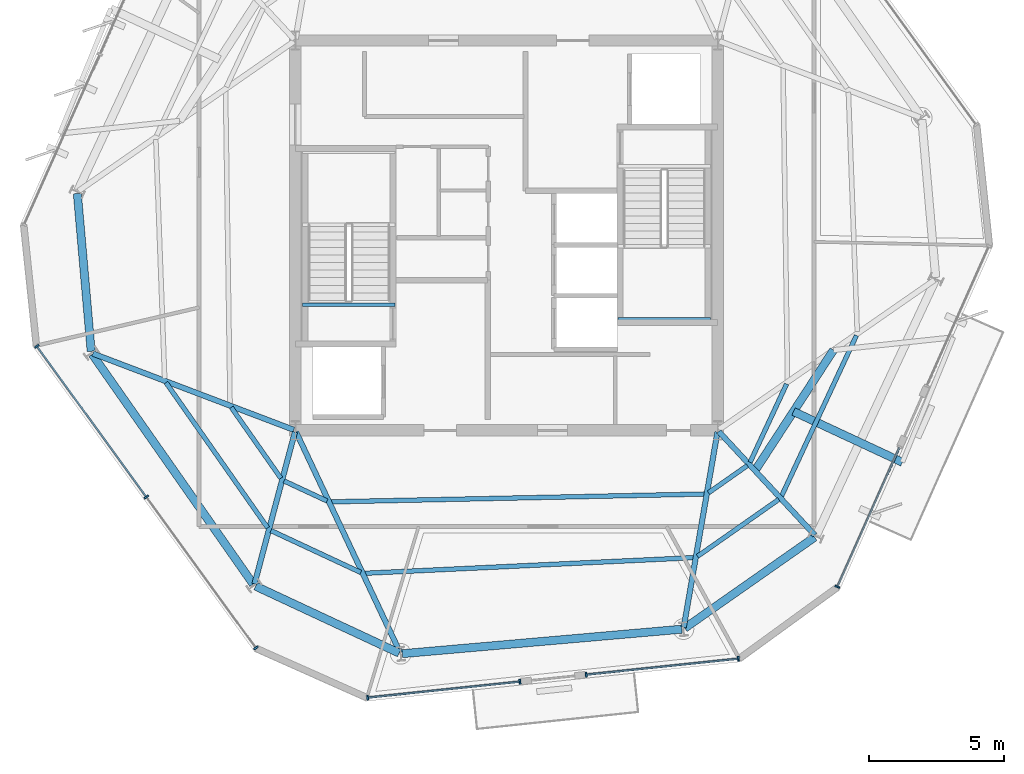
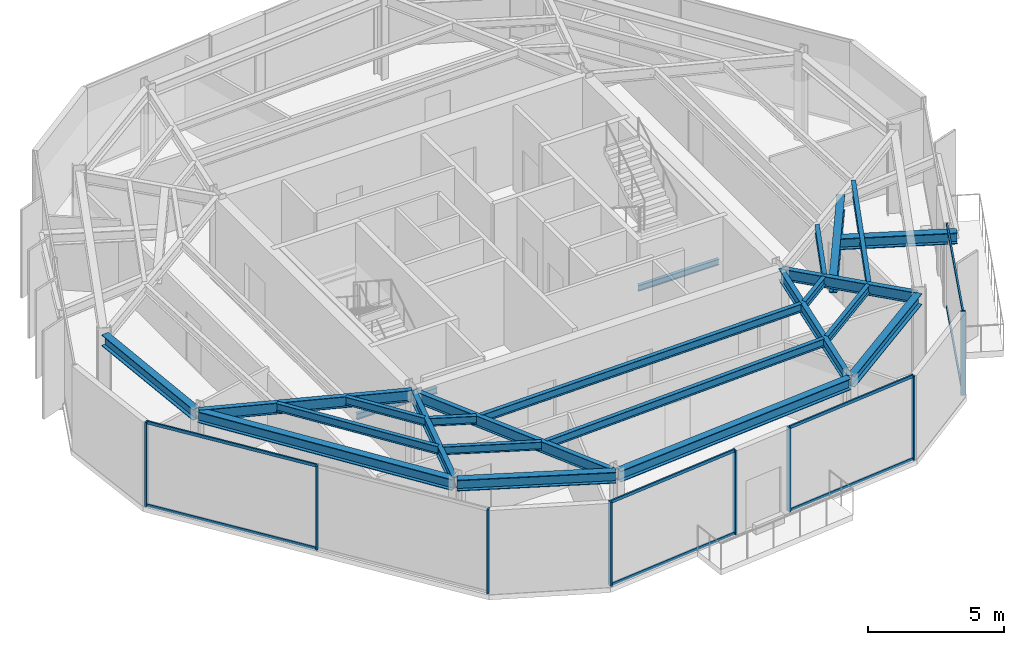
# One storey, part 2 of 11: 24 beams, 16 members, 4 elements without a shape of their own.
"""IFC4 building model written with IfcOpenShell, lengths in metres."""

from ifc_helpers import new_model, si_unit, direction, frame, origin, origin_2d, place, context, subcontext, project, spatial, rectangle, i_section, extrude, material, layer, layer_set, material_profile, profile_set, type_object, element, aggregate, save


model = new_model("IFC4")

# Units and contexts
model_context = context("Model", 3, precision=1e-05, world=origin(), true_north=direction((0.0, 1.0)))
body_context = subcontext(model_context, "Body", "Model", "MODEL_VIEW")
ifc_project = project(units=[si_unit("LENGTHUNIT", "METRE"), si_unit("AREAUNIT", "SQUARE_METRE"), si_unit("VOLUMEUNIT", "CUBIC_METRE"), si_unit("PLANEANGLEUNIT", "RADIAN"), si_unit("MASSUNIT", "GRAM", prefix="KILO")], contexts=[model_context])

# Site, building, storey
site_placement = place(None, origin())
site = spatial("IfcSite", under=ifc_project, at=site_placement, CompositionType="ELEMENT")
building_placement = place(site_placement, origin())
building = spatial("IfcBuilding", under=site, at=building_placement, Name="Kranzbogen Civic Tower", CompositionType="ELEMENT")
storey_placement = place(building_placement, frame((0.0, 0.0, 290.199951171875)))
storey = spatial("IfcBuildingStorey", under=building, at=storey_placement, Name="L70", CompositionType="ELEMENT", Elevation=290.199951171875)

# Curtain wall, members
ifc_material_1 = material(Name="Pale Anodised Aluminium", Category="aluminium")
ifc_layer = layer(ifc_material_1, 0.219970703125, Name="Pale Anodised Aluminium")
ifc_layer_set = layer_set([ifc_layer], Name="Pale Anodised Aluminium")
curtain_wall_type = type_object("IfcCurtainWallType", Name="Zone 4 Stick Curtain Wall System CW-05", PredefinedType="USERDEFINED", material=ifc_layer_set)
curtain_wall_1_placement = place(storey_placement, origin())
curtain_wall_1 = element("IfcCurtainWall", 1, at=curtain_wall_1_placement, inside=storey, type_object=curtain_wall_type, Name="L70 curtain wall CW-L70-F3", ObjectType="STICK CURTAIN WALL", PredefinedType="USERDEFINED")
ifc_material_profile_1 = material_profile(ifc_material_1, rectangle(XDim=0.06494140625, YDim=0.179931640625, at=origin_2d()), Name="ALU-M 65x180")
ifc_profile_set_1 = profile_set([ifc_material_profile_1], Name="Pale Anodised Aluminium")
member_type_1 = type_object("IfcMemberType", Name="Curtain Wall Mullion ALU-M 65x180", PredefinedType="MULLION", material=ifc_profile_set_1)
member_1_placement = place(storey_placement, frame((7.65673828125, 20.90673828125, 0.0), z_axis=(0.0, 0.0, 1.0), x_axis=(0.587767348667, -0.809030001817, 0.0)))
member_1 = element("IfcMember", 2, at=member_1_placement, type_object=member_type_1, Name="CW-05 mullion 1", PredefinedType="MULLION", context=body_context, shape_type="SweptSolid", body=[
    extrude(rectangle(XDim=0.06494140625, YDim=0.179931640625, at=origin_2d()), origin(), (0.0, 0.0, 1.0), 3.780029296875),
])
member_2_placement = place(storey_placement, frame((11.701904296875, 15.33837890625, 0.0), z_axis=(0.0, 0.0, 1.0), x_axis=(0.587767348667, -0.809030001817, 0.0)))
member_2 = element("IfcMember", 3, at=member_2_placement, type_object=member_type_1, Name="CW-05 mullion 2", PredefinedType="MULLION", context=body_context, shape_type="SweptSolid", body=[
    extrude(rectangle(XDim=0.06494140625, YDim=0.179931640625, at=origin_2d()), origin(), (0.0, 0.0, 1.0), 3.780029296875),
])
member_3_placement = place(storey_placement, frame((15.747314453125, 9.770263671875, 0.0), z_axis=(0.0, 0.0, 1.0), x_axis=(0.587767348667, -0.809030001817, 0.0)))
member_3 = element("IfcMember", 4, at=member_3_placement, type_object=member_type_1, Name="CW-05 mullion 3", PredefinedType="MULLION", context=body_context, shape_type="SweptSolid", body=[
    extrude(rectangle(XDim=0.06494140625, YDim=0.179931640625, at=origin_2d()), origin(), (0.0, 0.0, 1.0), 3.780029296875),
])

curtain_wall_2_placement = place(storey_placement, origin())
curtain_wall_2 = element("IfcCurtainWall", 5, at=curtain_wall_2_placement, inside=storey, type_object=curtain_wall_type, Name="L70 curtain wall CW-L70-F4-S1", ObjectType="STICK CURTAIN WALL", PredefinedType="USERDEFINED")
member_4_placement = place(storey_placement, frame((19.872802734375, 7.93310546875, 0.0), z_axis=(0.0, 0.0, 1.0), x_axis=(0.994525575058, 0.10449344743, 0.0)))
member_4 = element("IfcMember", 6, at=member_4_placement, type_object=member_type_1, Name="CW-05 mullion 1", PredefinedType="MULLION", context=body_context, shape_type="SweptSolid", body=[
    extrude(rectangle(XDim=0.06494140625, YDim=0.179931640625, at=origin_2d()), origin(), (0.0, 0.0, 1.0), 3.780029296875),
])
member_5_placement = place(storey_placement, frame((25.4951171875, 8.52392578125, 0.0), z_axis=(0.0, 0.0, 1.0), x_axis=(0.994525575058, 0.10449344743, 0.0)))
member_5 = element("IfcMember", 7, at=member_5_placement, type_object=member_type_1, Name="CW-05 mullion 2", PredefinedType="MULLION", context=body_context, shape_type="SweptSolid", body=[
    extrude(rectangle(XDim=0.06494140625, YDim=0.179931640625, at=origin_2d()), origin(), (0.0, 0.0, 1.0), 3.780029296875),
])

curtain_wall_3_placement = place(storey_placement, origin())
curtain_wall_3 = element("IfcCurtainWall", 8, at=curtain_wall_3_placement, inside=storey, type_object=curtain_wall_type, Name="L70 curtain wall CW-L70-F4-S2", ObjectType="STICK CURTAIN WALL", PredefinedType="USERDEFINED")
member_6_placement = place(storey_placement, frame((27.94189453125, 8.78125, 0.0), z_axis=(0.0, 0.0, 1.0), x_axis=(0.994523663418, 0.104511640032, 0.0)))
member_6 = element("IfcMember", 9, at=member_6_placement, type_object=member_type_1, Name="CW-05 mullion 1", PredefinedType="MULLION", context=body_context, shape_type="SweptSolid", body=[
    extrude(rectangle(XDim=0.06494140625, YDim=0.179931640625, at=origin_2d()), origin(), (0.0, 0.0, 1.0), 3.780029296875),
])
member_7_placement = place(storey_placement, frame((33.563232421875, 9.371826171875, 0.0), z_axis=(0.0, 0.0, 1.0), x_axis=(0.994523663418, 0.104511640032, 0.0)))
member_7 = element("IfcMember", 10, at=member_7_placement, type_object=member_type_1, Name="CW-05 mullion 2", PredefinedType="MULLION", context=body_context, shape_type="SweptSolid", body=[
    extrude(rectangle(XDim=0.06494140625, YDim=0.179931640625, at=origin_2d()), origin(), (0.0, 0.0, 1.0), 3.780029296875),
])

# Curtain wall, member
curtain_wall_4_placement = place(storey_placement, origin())
curtain_wall_4 = element("IfcCurtainWall", 11, at=curtain_wall_4_placement, inside=storey, type_object=curtain_wall_type, Name="L70 curtain wall CW-L70-F5-S1", ObjectType="STICK CURTAIN WALL", PredefinedType="USERDEFINED")
member_8_placement = place(storey_placement, frame((37.21728515625, 12.0263671875, 0.0), z_axis=(0.0, 0.0, 1.0), x_axis=(0.406787988474, 0.913522595469, 0.0)))
member_8 = element("IfcMember", 12, at=member_8_placement, type_object=member_type_1, Name="CW-05 mullion 1", PredefinedType="MULLION", context=body_context, shape_type="SweptSolid", body=[
    extrude(rectangle(XDim=0.06494140625, YDim=0.179931640625, at=origin_2d()), origin(), (0.0, 0.0, 1.0), 3.780029296875),
])

# Member
ifc_material_profile_2 = material_profile(ifc_material_1, rectangle(XDim=0.06494140625, YDim=0.135009765625, at=origin_2d()), Name="ALU-T 65x135")
ifc_profile_set_2 = profile_set([ifc_material_profile_2], Name="Pale Anodised Aluminium")
member_type_2 = type_object("IfcMemberType", Name="Curtain Wall Transom ALU-T 65x135", PredefinedType="USERDEFINED", material=ifc_profile_set_2)
member_9_placement = place(storey_placement, frame((7.67431640625, 20.882568359375, 0.030029296875), z_axis=(0.587752462123, -0.809040816812, 0.0), x_axis=(0.809040816812, 0.587752462123, 0.0)))
member_9 = element("IfcMember", 13, at=member_9_placement, type_object=member_type_2, Name="CW-05 transom 1.1", ObjectType="TRANSOM", PredefinedType="USERDEFINED", context=body_context, shape_type="SweptSolid", body=[
    extrude(rectangle(XDim=0.06494140625, YDim=0.135009765625, at=origin_2d()), origin(), (0.0, 0.0, 1.0), 6.822509765625),
])

member_10_placement = place(storey_placement, frame((7.67431640625, 20.882568359375, 3.75), z_axis=(0.587752462123, -0.809040816812, 0.0), x_axis=(0.809040816812, 0.587752462123, 0.0)))
member_10 = element("IfcMember", 14, at=member_10_placement, type_object=member_type_2, Name="CW-05 transom 1.2", ObjectType="TRANSOM", PredefinedType="USERDEFINED", context=body_context, shape_type="SweptSolid", body=[
    extrude(rectangle(XDim=0.06494140625, YDim=0.135009765625, at=origin_2d()), origin(), (0.0, 0.0, 1.0), 6.822509765625),
])

aggregate(curtain_wall_1, [member_1, member_2, member_3, member_9, member_10])

member_11_placement = place(storey_placement, frame((19.902587890625, 7.936279296875, 0.030029296875), z_axis=(0.994525524764, 0.104493926104, 0.0), x_axis=(-0.104493926104, 0.994525524764, 0.0)))
member_11 = element("IfcMember", 15, at=member_11_placement, type_object=member_type_2, Name="CW-05 transom 1.1", ObjectType="TRANSOM", PredefinedType="USERDEFINED", context=body_context, shape_type="SweptSolid", body=[
    extrude(rectangle(XDim=0.06494140625, YDim=0.135009765625, at=origin_2d()), origin(), (0.0, 0.0, 1.0), 5.59326171875),
])

member_12_placement = place(storey_placement, frame((19.902587890625, 7.936279296875, 3.75), z_axis=(0.994525524764, 0.104493926104, 0.0), x_axis=(-0.104493926104, 0.994525524764, 0.0)))
member_12 = element("IfcMember", 16, at=member_12_placement, type_object=member_type_2, Name="CW-05 transom 1.2", ObjectType="TRANSOM", PredefinedType="USERDEFINED", context=body_context, shape_type="SweptSolid", body=[
    extrude(rectangle(XDim=0.06494140625, YDim=0.135009765625, at=origin_2d()), origin(), (0.0, 0.0, 1.0), 5.59326171875),
])

aggregate(curtain_wall_2, [member_4, member_5, member_11, member_12])

member_13_placement = place(storey_placement, frame((27.9716796875, 8.7841796875, 0.030029296875), z_axis=(0.99452361789, 0.104512073273, 0.0), x_axis=(-0.104512073273, 0.99452361789, 0.0)))
member_13 = element("IfcMember", 17, at=member_13_placement, type_object=member_type_2, Name="CW-05 transom 1.1", ObjectType="TRANSOM", PredefinedType="USERDEFINED", context=body_context, shape_type="SweptSolid", body=[
    extrude(rectangle(XDim=0.06494140625, YDim=0.135009765625, at=origin_2d()), origin(), (0.0, 0.0, 1.0), 5.59228515625),
])

member_14_placement = place(storey_placement, frame((27.9716796875, 8.7841796875, 3.75), z_axis=(0.99452361789, 0.104512073273, 0.0), x_axis=(-0.104512073273, 0.99452361789, 0.0)))
member_14 = element("IfcMember", 18, at=member_14_placement, type_object=member_type_2, Name="CW-05 transom 1.2", ObjectType="TRANSOM", PredefinedType="USERDEFINED", context=body_context, shape_type="SweptSolid", body=[
    extrude(rectangle(XDim=0.06494140625, YDim=0.135009765625, at=origin_2d()), origin(), (0.0, 0.0, 1.0), 5.59228515625),
])

aggregate(curtain_wall_3, [member_6, member_7, member_13, member_14])

member_15_placement = place(storey_placement, frame((37.2294921875, 12.0537109375, 0.030029296875), z_axis=(0.406782327838, 0.913525116107, 0.0), x_axis=(-0.913525116107, 0.406782327838, 0.0)))
member_15 = element("IfcMember", 19, at=member_15_placement, type_object=member_type_2, Name="CW-05 transom 1.1", ObjectType="TRANSOM", PredefinedType="USERDEFINED", context=body_context, shape_type="SweptSolid", body=[
    extrude(rectangle(XDim=0.06494140625, YDim=0.135009765625, at=origin_2d()), origin(), (0.0, 0.0, 1.0), 5.593017578125),
])

member_16_placement = place(storey_placement, frame((37.2294921875, 12.0537109375, 3.75), z_axis=(0.406782327838, 0.913525116107, 0.0), x_axis=(-0.913525116107, 0.406782327838, 0.0)))
member_16 = element("IfcMember", 20, at=member_16_placement, type_object=member_type_2, Name="CW-05 transom 1.2", ObjectType="TRANSOM", PredefinedType="USERDEFINED", context=body_context, shape_type="SweptSolid", body=[
    extrude(rectangle(XDim=0.06494140625, YDim=0.135009765625, at=origin_2d()), origin(), (0.0, 0.0, 1.0), 5.593017578125),
])

aggregate(curtain_wall_4, [member_8, member_15, member_16])

# Beams
ifc_material_2 = material(Name="Steel S355", Category="steel")
ifc_material_profile_3 = material_profile(ifc_material_2, i_section(OverallWidth=0.300048828125, OverallDepth=0.5, WebThickness=0.014404296875, FlangeThickness=0.028076171875, at=origin_2d()), Name="HEB 500")
ifc_profile_set_3 = profile_set([ifc_material_profile_3], Name="Steel S355")
beam_type_1 = type_object("IfcBeamType", Name="Perimeter Tube Spandrel Beam HEB 500", PredefinedType="SPANDREL", material=ifc_profile_set_3)
beam_1_placement = place(storey_placement, frame((9.699951171875, 20.612060546875, 3.530029296875), z_axis=(0.573577759301, -0.819151117948, 0.0), x_axis=(0.819151117948, 0.573577759301, 0.0)))
element("IfcBeam", 21, at=beam_1_placement, inside=storey, type_object=beam_type_1, Name="L70 perimeter spandrel beam 01", PredefinedType="SPANDREL", context=body_context, shape_type="SweptSolid", body=[
    extrude(i_section(OverallWidth=0.300048828125, OverallDepth=0.5, WebThickness=0.014404296875, FlangeThickness=0.028076171875, at=origin_2d()), origin(), (0.0, 0.0, 1.0), 10.36328125),
])
beam_2_placement = place(storey_placement, frame((15.73193359375, 12.049072265625, 3.530029296875), z_axis=(0.906289661556, -0.422657129784, 0.0), x_axis=(0.422657129784, 0.906289661556, 0.0)))
element("IfcBeam", 22, at=beam_2_placement, inside=storey, type_object=beam_type_1, Name="L70 perimeter spandrel beam 02", PredefinedType="SPANDREL", context=body_context, shape_type="SweptSolid", body=[
    extrude(i_section(OverallWidth=0.300048828125, OverallDepth=0.5, WebThickness=0.014404296875, FlangeThickness=0.028076171875, at=origin_2d()), origin(), (0.0, 0.0, 1.0), 5.853759765625),
])
beam_3_placement = place(storey_placement, frame((21.15087890625, 9.554931640625, 3.530029296875), z_axis=(0.996186373839, 0.087250837114, 0.0), x_axis=(-0.087250837114, 0.996186373839, 0.0)))
element("IfcBeam", 23, at=beam_3_placement, inside=storey, type_object=beam_type_1, Name="L70 perimeter spandrel beam 03", PredefinedType="SPANDREL", context=body_context, shape_type="SweptSolid", body=[
    extrude(i_section(OverallWidth=0.300048828125, OverallDepth=0.5, WebThickness=0.014404296875, FlangeThickness=0.028076171875, at=origin_2d()), origin(), (0.0, 0.0, 1.0), 10.361572265625),
])
beam_4_placement = place(storey_placement, frame((31.58203125, 10.498046875, 3.530029296875), z_axis=(0.819059436004, 0.57370867197, 0.0), x_axis=(-0.57370867197, 0.819059436004, 0.0)))
element("IfcBeam", 24, at=beam_4_placement, inside=storey, type_object=beam_type_1, Name="L70 perimeter spandrel beam 04", PredefinedType="SPANDREL", context=body_context, shape_type="SweptSolid", body=[
    extrude(i_section(OverallWidth=0.300048828125, OverallDepth=0.5, WebThickness=0.014404296875, FlangeThickness=0.028076171875, at=origin_2d()), origin(), (0.0, 0.0, 1.0), 5.85302734375),
])
beam_5_placement = place(storey_placement, frame((9.14990234375, 26.550048828125, 3.530029296875), z_axis=(0.087326362434, -0.99617975608, 0.0), x_axis=(0.99617975608, 0.087326362434, 0.0)))
element("IfcBeam", 25, at=beam_5_placement, inside=storey, type_object=beam_type_1, Name="L70 perimeter spandrel beam 12", PredefinedType="SPANDREL", context=body_context, shape_type="SweptSolid", body=[
    extrude(i_section(OverallWidth=0.300048828125, OverallDepth=0.5, WebThickness=0.014404296875, FlangeThickness=0.028076171875, at=origin_2d()), origin(), (0.0, 0.0, 1.0), 5.8515625),
])
beam_6_placement = place(storey_placement, frame((35.59912109375, 18.498046875, 3.5), z_axis=(0.90634479868, -0.422538880939, 0.0), x_axis=(0.422538880939, 0.90634479868, 0.0)))
element("IfcBeam", 26, at=beam_6_placement, inside=storey, type_object=beam_type_1, Name="L71 back-spanned terrace beam L71-TB2-1", PredefinedType="SPANDREL", context=body_context, shape_type="SweptSolid", body=[
    extrude(i_section(OverallWidth=0.300048828125, OverallDepth=0.5, WebThickness=0.014404296875, FlangeThickness=0.028076171875, at=origin_2d()), origin(), (0.0, 0.0, 1.0), 4.43505859375),
])
ifc_material_profile_4 = material_profile(ifc_material_2, i_section(OverallWidth=0.300048828125, OverallDepth=0.699951171875, WebThickness=0.01708984375, FlangeThickness=0.031982421875, at=origin_2d()), Name="HEB 700")
ifc_profile_set_4 = profile_set([ifc_material_profile_4], Name="Steel S355")
beam_type_2 = type_object("IfcBeamType", Name="Perimeter Tube Spandrel Beam HEB 700", PredefinedType="SPANDREL", material=ifc_profile_set_4)
beam_7_placement = place(storey_placement, frame((34.177001953125, 16.31396484375, 3.400146484375), z_axis=(0.54556961734, 0.838065506172, 0.0), x_axis=(-0.838065506172, 0.54556961734, 0.0)))
element("IfcBeam", 27, at=beam_7_placement, inside=storey, type_object=beam_type_2, Name="L71 balcony back-span header girder L71-TB2", PredefinedType="SPANDREL", context=body_context, shape_type="SweptSolid", body=[
    extrude(i_section(OverallWidth=0.300048828125, OverallDepth=0.699951171875, WebThickness=0.01708984375, FlangeThickness=0.031982421875, at=origin_2d()), origin(), (0.0, 0.0, 1.0), 5.3134765625),
])
ifc_material_profile_5 = material_profile(ifc_material_2, i_section(OverallWidth=0.199951171875, OverallDepth=0.5, WebThickness=0.01025390625, FlangeThickness=0.01611328125, at=origin_2d()), Name="IPE 500")
ifc_profile_set_5 = profile_set([ifc_material_profile_5], Name="Steel S355")
beam_type_3 = type_object("IfcBeamType", Name="Radial Tower Floor Girder IPE 500", PredefinedType="BEAM", material=ifc_profile_set_5)
beam_8_placement = place(storey_placement, frame((9.721923828125, 20.639892578125, 3.530029296875), z_axis=(0.934848709689, -0.355046320913, 0.0), x_axis=(0.355046320913, 0.934848709689, 0.0)))
element("IfcBeam", 28, at=beam_8_placement, inside=storey, type_object=beam_type_3, Name="L70 radial floor girder 01", PredefinedType="BEAM", context=body_context, shape_type="SweptSolid", body=[
    extrude(i_section(OverallWidth=0.199951171875, OverallDepth=0.5, WebThickness=0.01025390625, FlangeThickness=0.01611328125, at=origin_2d()), origin(), (0.0, 0.0, 1.0), 7.939453125),
])
beam_9_placement = place(storey_placement, frame((15.693115234375, 12.132080078125, 3.530029296875), z_axis=(0.257016017622, 0.966407143333, 0.0), x_axis=(-0.966407143333, 0.257016017622, 0.0)))
element("IfcBeam", 29, at=beam_9_placement, inside=storey, type_object=beam_type_3, Name="L70 radial floor girder 02", PredefinedType="BEAM", context=body_context, shape_type="SweptSolid", body=[
    extrude(i_section(OverallWidth=0.199951171875, OverallDepth=0.5, WebThickness=0.01025390625, FlangeThickness=0.01611328125, at=origin_2d()), origin(), (0.0, 0.0, 1.0), 5.804931640625),
])
beam_10_placement = place(storey_placement, frame((21.06494140625, 9.60400390625, 3.530029296875), z_axis=(-0.426460441273, 0.904506214478, 0.0), x_axis=(-0.904506214478, -0.426460441273, 0.0)))
element("IfcBeam", 30, at=beam_10_placement, inside=storey, type_object=beam_type_3, Name="L70 radial floor girder 03", PredefinedType="BEAM", context=body_context, shape_type="SweptSolid", body=[
    extrude(i_section(OverallWidth=0.199951171875, OverallDepth=0.5, WebThickness=0.01025390625, FlangeThickness=0.01611328125, at=origin_2d()), origin(), (0.0, 0.0, 1.0), 9.001708984375),
])
beam_11_placement = place(storey_placement, frame((31.54296875, 10.52294921875, 3.530029296875), z_axis=(0.170249558486, 0.985400978199, 0.0), x_axis=(-0.985400978199, 0.170249558486, 0.0)))
element("IfcBeam", 31, at=beam_11_placement, inside=storey, type_object=beam_type_3, Name="L70 radial floor girder 04", PredefinedType="BEAM", context=body_context, shape_type="SweptSolid", body=[
    extrude(i_section(OverallWidth=0.199951171875, OverallDepth=0.5, WebThickness=0.01025390625, FlangeThickness=0.01611328125, at=origin_2d()), origin(), (0.0, 0.0, 1.0), 7.324951171875),
])
beam_12_placement = place(storey_placement, frame((36.384033203125, 13.93408203125, 3.530029296875), z_axis=(-0.679827353702, 0.733372190064, 0.0), x_axis=(-0.733372190064, -0.679827353702, 0.0)))
element("IfcBeam", 32, at=beam_12_placement, inside=storey, type_object=beam_type_3, Name="L70 radial floor girder 05", PredefinedType="BEAM", context=body_context, shape_type="SweptSolid", body=[
    extrude(i_section(OverallWidth=0.199951171875, OverallDepth=0.5, WebThickness=0.01025390625, FlangeThickness=0.01611328125, at=origin_2d()), origin(), (0.0, 0.0, 1.0), 5.211669921875),
])
ifc_material_profile_6 = material_profile(ifc_material_2, i_section(OverallWidth=0.169921875, OverallDepth=0.360107421875, WebThickness=0.008056640625, FlangeThickness=0.0126953125, at=origin_2d()), Name="IPE 360")
ifc_profile_set_6 = profile_set([ifc_material_profile_6], Name="Steel S355")
beam_type_4 = type_object("IfcBeamType", Name="Secondary Composite Floor Joist IPE 360", PredefinedType="JOIST", material=ifc_profile_set_6)
beam_13_placement = place(storey_placement, frame((12.424072265625, 19.56591796875, 3.60009765625), z_axis=(0.573499872939, -0.819205649235, 0.0), x_axis=(0.819205649235, 0.573499872939, 0.0)))
element("IfcBeam", 33, at=beam_13_placement, inside=storey, type_object=beam_type_4, Name="L70 secondary floor joist 1.01", PredefinedType="JOIST", context=body_context, shape_type="SweptSolid", body=[
    extrude(i_section(OverallWidth=0.169921875, OverallDepth=0.360107421875, WebThickness=0.008056640625, FlangeThickness=0.0126953125, at=origin_2d()), origin(), (0.0, 0.0, 1.0), 6.549072265625),
])
beam_14_placement = place(storey_placement, frame((14.8349609375, 18.64990234375, 3.60009765625), z_axis=(0.573498248491, -0.819206786457, 0.0), x_axis=(0.819206786457, 0.573498248491, 0.0)))
element("IfcBeam", 34, at=beam_14_placement, inside=storey, type_object=beam_type_4, Name="L70 secondary floor joist 2.01", PredefinedType="JOIST", context=body_context, shape_type="SweptSolid", body=[
    extrude(i_section(OverallWidth=0.169921875, OverallDepth=0.360107421875, WebThickness=0.008056640625, FlangeThickness=0.0126953125, at=origin_2d()), origin(), (0.0, 0.0, 1.0), 3.194580078125),
])
beam_15_placement = place(storey_placement, frame((16.298095703125, 14.10205078125, 3.60009765625), z_axis=(0.906303996948, -0.422626389517, 0.0), x_axis=(0.422626389517, 0.906303996948, 0.0)))
element("IfcBeam", 35, at=beam_15_placement, inside=storey, type_object=beam_type_4, Name="L70 secondary floor joist 1.02", PredefinedType="JOIST", context=body_context, shape_type="SweptSolid", body=[
    extrude(i_section(OverallWidth=0.169921875, OverallDepth=0.360107421875, WebThickness=0.008056640625, FlangeThickness=0.0126953125, at=origin_2d()), origin(), (0.0, 0.0, 1.0), 3.6630859375),
])
beam_16_placement = place(storey_placement, frame((16.784912109375, 15.93408203125, 3.60009765625), z_axis=(0.906432174342, -0.422351409751, 0.0), x_axis=(0.422351409751, 0.906432174342, 0.0)))
element("IfcBeam", 36, at=beam_16_placement, inside=storey, type_object=beam_type_4, Name="L70 secondary floor joist 2.02", PredefinedType="JOIST", context=body_context, shape_type="SweptSolid", body=[
    extrude(i_section(OverallWidth=0.169921875, OverallDepth=0.360107421875, WebThickness=0.008056640625, FlangeThickness=0.0126953125, at=origin_2d()), origin(), (0.0, 0.0, 1.0), 1.751953125),
])
beam_17_placement = place(storey_placement, frame((19.77001953125, 12.52392578125, 3.60009765625), z_axis=(0.998871634781, 0.047491654324, 0.0), x_axis=(-0.047491654324, 0.998871634781, 0.0)))
element("IfcBeam", 37, at=beam_17_placement, inside=storey, type_object=beam_type_4, Name="L70 secondary floor joist 1.03", PredefinedType="JOIST", context=body_context, shape_type="SweptSolid", body=[
    extrude(i_section(OverallWidth=0.169921875, OverallDepth=0.360107421875, WebThickness=0.008056640625, FlangeThickness=0.0126953125, at=origin_2d()), origin(), (0.0, 0.0, 1.0), 12.152587890625),
])
beam_18_placement = place(storey_placement, frame((18.52490234375, 15.162109375, 3.60009765625), z_axis=(0.999780746893, 0.020939392104, 0.0), x_axis=(-0.020939392104, 0.999780746893, 0.0)))
element("IfcBeam", 38, at=beam_18_placement, inside=storey, type_object=beam_type_4, Name="L70 secondary floor joist 2.03", PredefinedType="JOIST", context=body_context, shape_type="SweptSolid", body=[
    extrude(i_section(OverallWidth=0.169921875, OverallDepth=0.360107421875, WebThickness=0.008056640625, FlangeThickness=0.0126953125, at=origin_2d()), origin(), (0.0, 0.0, 1.0), 13.79296875),
])
beam_19_placement = place(storey_placement, frame((32.054931640625, 13.15087890625, 3.60009765625), z_axis=(0.819006333711, 0.573784476385, 0.0), x_axis=(-0.573784476385, 0.819006333711, 0.0)))
element("IfcBeam", 39, at=beam_19_placement, inside=storey, type_object=beam_type_4, Name="L70 secondary floor joist 1.04", PredefinedType="JOIST", context=body_context, shape_type="SweptSolid", body=[
    extrude(i_section(OverallWidth=0.169921875, OverallDepth=0.360107421875, WebThickness=0.008056640625, FlangeThickness=0.0126953125, at=origin_2d()), origin(), (0.0, 0.0, 1.0), 3.661865234375),
])
beam_20_placement = place(storey_placement, frame((32.4599609375, 15.498046875, 3.60009765625), z_axis=(0.818956727849, 0.573855276103, 0.0), x_axis=(-0.573855276103, 0.818956727849, 0.0)))
element("IfcBeam", 40, at=beam_20_placement, inside=storey, type_object=beam_type_4, Name="L70 secondary floor joist 2.04", PredefinedType="JOIST", context=body_context, shape_type="SweptSolid", body=[
    extrude(i_section(OverallWidth=0.169921875, OverallDepth=0.360107421875, WebThickness=0.008056640625, FlangeThickness=0.0126953125, at=origin_2d()), origin(), (0.0, 0.0, 1.0), 1.751220703125),
])
beam_21_placement = place(storey_placement, frame((35.154052734375, 15.3701171875, 3.60009765625), z_axis=(0.422542528713, 0.906343098075, 0.0), x_axis=(-0.906343098075, 0.422542528713, 0.0)))
element("IfcBeam", 41, at=beam_21_placement, inside=storey, type_object=beam_type_4, Name="L70 secondary floor joist 1.05", PredefinedType="JOIST", context=body_context, shape_type="SweptSolid", body=[
    extrude(i_section(OverallWidth=0.169921875, OverallDepth=0.360107421875, WebThickness=0.008056640625, FlangeThickness=0.0126953125, at=origin_2d()), origin(), (0.0, 0.0, 1.0), 6.548095703125),
])
beam_22_placement = place(storey_placement, frame((33.993896484375, 16.62109375, 3.60009765625), z_axis=(0.422651143991, 0.906292453065, 0.0), x_axis=(-0.906292453065, 0.422651143991, 0.0)))
element("IfcBeam", 42, at=beam_22_placement, inside=storey, type_object=beam_type_4, Name="L70 secondary floor joist 2.05", PredefinedType="JOIST", context=body_context, shape_type="SweptSolid", body=[
    extrude(i_section(OverallWidth=0.169921875, OverallDepth=0.360107421875, WebThickness=0.008056640625, FlangeThickness=0.0126953125, at=origin_2d()), origin(), (0.0, 0.0, 1.0), 3.1943359375),
])
ifc_material_profile_7 = material_profile(ifc_material_2, i_section(OverallWidth=0.135009765625, OverallDepth=0.27001953125, WebThickness=0.006591796875, FlangeThickness=0.01025390625, at=origin_2d()), Name="IPE 270")
ifc_profile_set_7 = profile_set([ifc_material_profile_7], Name="Steel S355")
beam_type_5 = type_object("IfcBeamType", Name="Stair Landing Support Beam IPE 270", PredefinedType="JOIST", material=ifc_profile_set_7)
for number, where, z_axis, x_axis, name in (
    (43, (20.8798828125, 22.43994140625, -0.35498046875), (-1.0, 0.0, 0.0), (0.0, -1.0, 0.0), "L70 ST-T1 stair floor header beam"),
    (44, (29.1201171875, 21.89990234375, 1.6650390625), (1.0, 0.0, 0.0), (0.0, 1.0, 0.0), "L70 ST-T2 landing support beam 1.2"),
):
    element("IfcBeam", number, at=place(storey_placement, frame(where, z_axis=z_axis, x_axis=x_axis)), inside=storey, type_object=beam_type_5, Name=name, PredefinedType="JOIST", context=body_context, shape_type="SweptSolid", body=[
        extrude(i_section(OverallWidth=0.135009765625, OverallDepth=0.27001953125, WebThickness=0.006591796875, FlangeThickness=0.01025390625, at=origin_2d()), origin(), (0.0, 0.0, 1.0), 3.409912109375),
    ])

save(model, "model.ifc")
